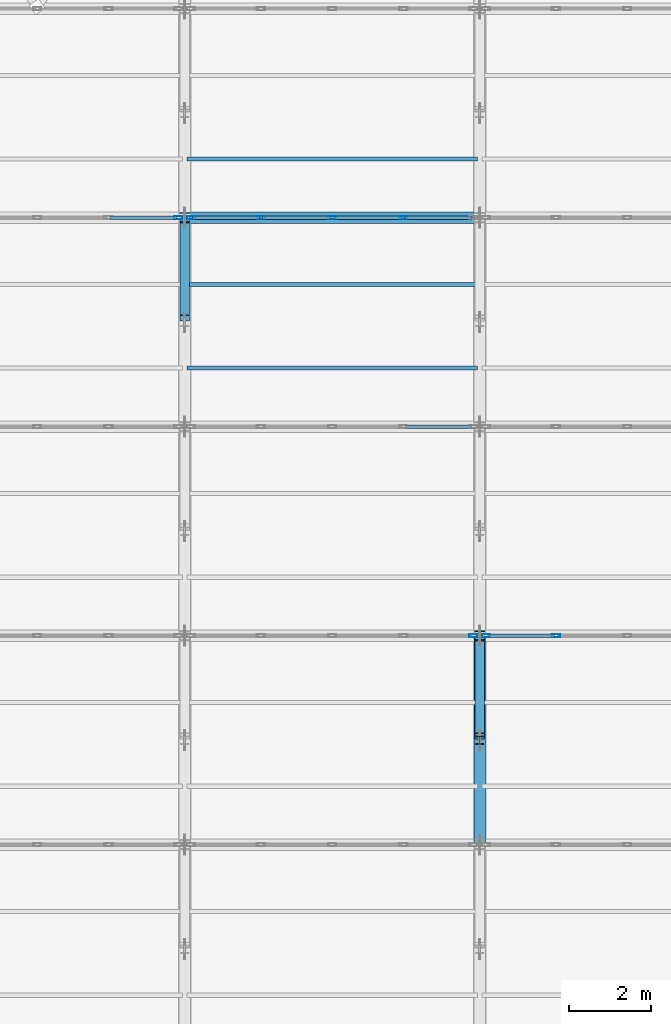
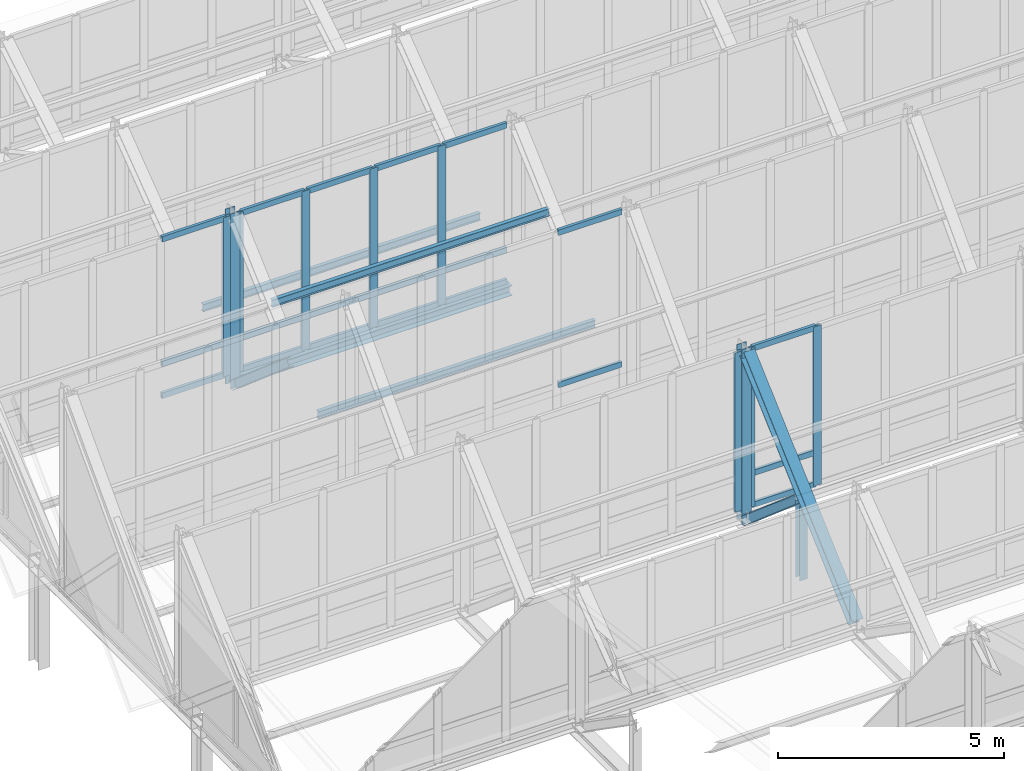
# One storey, part 45 of 157: 37 members, 1 beam, 5 elements without a shape of their own.
"""IFC4 building model written with IfcOpenShell, lengths in metres."""

from ifc_helpers import new_model, si_unit, direction, frame, origin, origin_2d, place, context, subcontext, project, spatial, hollow_rectangle, i_section, extrude, material, material_profile, profile_set, type_object, element, aggregate, save


model = new_model("IFC4")

# Units and contexts
model_context = context("Model", 3, precision=1e-05, world=origin(), true_north=direction((0.0, 1.0)))
body_context = subcontext(model_context, "Body", "Model", "MODEL_VIEW")
ifc_project = project(units=[si_unit("LENGTHUNIT", "METRE"), si_unit("AREAUNIT", "SQUARE_METRE"), si_unit("VOLUMEUNIT", "CUBIC_METRE"), si_unit("PLANEANGLEUNIT", "RADIAN"), si_unit("MASSUNIT", "GRAM", prefix="KILO")], contexts=[model_context])

# Site, building, storey
site_placement = place(None, origin())
site = spatial("IfcSite", under=ifc_project, at=site_placement, CompositionType="ELEMENT")
building_placement = place(site_placement, origin())
building = spatial("IfcBuilding", under=site, at=building_placement, Name="Suanplinth Sawtooth Commons", CompositionType="ELEMENT")
storey_placement = place(building_placement, frame((0.0, 0.0, 9.0)))
storey = spatial("IfcBuildingStorey", under=building, at=storey_placement, Name="L02", CompositionType="ELEMENT", Elevation=9.0)

# Beam
ifc_material_1 = material(Name="Steel S355JR", Category="steel")
ifc_material_profile_1 = material_profile(ifc_material_1, i_section(OverallWidth=0.280029296875, OverallDepth=0.27001953125, WebThickness=0.008056640625, FlangeThickness=0.012939453125, at=origin_2d()), Name="HEA 280")
ifc_profile_set_1 = profile_set([ifc_material_profile_1], Name="Steel S355JR")
beam_type = type_object("IfcBeamType", Name="B-16", PredefinedType="USERDEFINED", material=ifc_profile_set_1)
beam_placement = place(storey_placement, frame((72.1201171875, 75.89990234375, 2.820068359375), z_axis=(1.0, 0.0, 0.0), x_axis=(0.0, 1.0, 0.0)))
element("IfcBeam", 1, at=beam_placement, inside=storey, type_object=beam_type, Name="Sawtooth Valley Girder T6-B2", ObjectType="GIRDER", PredefinedType="USERDEFINED", context=body_context, shape_type="SweptSolid", body=[
    extrude(i_section(OverallWidth=0.280029296875, OverallDepth=0.27001953125, WebThickness=0.008056640625, FlangeThickness=0.012939453125, at=origin_2d()), origin(), (0.0, 0.0, 1.0), 6.9599609375),
])

# Members
ifc_material_profile_2 = material_profile(ifc_material_1, i_section(OverallWidth=0.280029296875, OverallDepth=0.280029296875, WebThickness=0.010498046875, FlangeThickness=0.01806640625, at=origin_2d()), Name="HEB 280")
ifc_profile_set_2 = profile_set([ifc_material_profile_2], Name="Steel S355JR")
member_type_1 = type_object("IfcMemberType", Name="M-02", PredefinedType="CHORD", material=ifc_profile_set_2)
member_1_placement = place(storey_placement, frame((79.199951171875, 60.739990234375, 2.919921875), z_axis=(0.0, 0.740839311711, 0.671682301556), x_axis=(-1.0, 0.0, 0.0)))
element("IfcMember", 2, at=member_1_placement, inside=storey, type_object=member_type_1, Name="Sawtooth Truss T3 Top Chord 3", PredefinedType="CHORD", context=body_context, shape_type="SweptSolid", body=[
    extrude(i_section(OverallWidth=0.280029296875, OverallDepth=0.280029296875, WebThickness=0.010498046875, FlangeThickness=0.01806640625, at=origin_2d()), origin(), (0.0, 0.0, 1.0), 6.50634765625),
])
ifc_material_profile_3 = material_profile(ifc_material_1, i_section(OverallWidth=0.239990234375, OverallDepth=0.22998046875, WebThickness=0.007568359375, FlangeThickness=0.011962890625, at=origin_2d()), Name="HEA 240")
ifc_profile_set_3 = profile_set([ifc_material_profile_3], Name="Steel S355JR")
member_type_2 = type_object("IfcMemberType", Name="M-03", PredefinedType="BRACE", material=ifc_profile_set_3)
for number, where, z_axis, x_axis, name in (
    (3, (72.0, 73.449951171875, 4.7451171875), (0.0, 0.759593581641, -0.65039802485), (-1.0, 0.0, 0.0), "Sawtooth Truss T2 Web Diagonal 5"),
    (4, (79.199951171875, 63.25, 4.7451171875), (0.0, 0.759593581641, -0.65039802485), (-1.0, 0.0, 0.0), "Sawtooth Truss T3 Web Diagonal 3"),
):
    element("IfcMember", number, at=place(storey_placement, frame(where, z_axis=z_axis, x_axis=x_axis)), inside=storey, type_object=member_type_2, Name=name, PredefinedType="BRACE", context=body_context, shape_type="SweptSolid", body=[
        extrude(i_section(OverallWidth=0.239990234375, OverallDepth=0.22998046875, WebThickness=0.007568359375, FlangeThickness=0.011962890625, at=origin_2d()), origin(), (0.0, 0.0, 1.0), 3.067626953125),
    ])
ifc_material_profile_4 = material_profile(ifc_material_1, i_section(OverallWidth=0.199951171875, OverallDepth=0.18994140625, WebThickness=0.006591796875, FlangeThickness=0.010009765625, at=origin_2d()), Name="HEA 200")
ifc_profile_set_4 = profile_set([ifc_material_profile_4], Name="Steel S355JR")
member_type_3 = type_object("IfcMemberType", Name="M-04", PredefinedType="BRACE", material=ifc_profile_set_4)
member_2_placement = place(storey_placement, frame((79.199951171875, 63.14990234375, 2.64990234375), z_axis=(0.0, 0.0, 1.0), x_axis=(1.0, 0.0, 0.0)))
element("IfcMember", 5, at=member_2_placement, inside=storey, type_object=member_type_3, Name="Sawtooth Truss T3 Mid Web Post 3", PredefinedType="BRACE", context=body_context, shape_type="SweptSolid", body=[
    extrude(i_section(OverallWidth=0.199951171875, OverallDepth=0.18994140625, WebThickness=0.006591796875, FlangeThickness=0.010009765625, at=origin_2d()), origin(), (0.0, 0.0, 1.0), 2.0751953125),
])
ifc_material_profile_5 = material_profile(ifc_material_1, i_section(OverallWidth=0.239990234375, OverallDepth=0.239990234375, WebThickness=0.010009765625, FlangeThickness=0.01708984375, at=origin_2d()), Name="HEB 240")
ifc_profile_set_5 = profile_set([ifc_material_profile_5], Name="Steel S355JR")
member_type_4 = type_object("IfcMemberType", Name="M-05", PredefinedType="POST", material=ifc_profile_set_5)
for number, where, z_axis, x_axis, name in (
    (6, (72.0, 75.89990234375, 2.64990234375), (0.0, 0.0, 1.0), (1.0, 0.0, 0.0), "Sawtooth Truss T2 Clerestory Post 5"),
    (7, (79.199951171875, 65.699951171875, 2.64990234375), (0.0, 0.0, 1.0), (1.0, 0.0, 0.0), "Sawtooth Truss T3 Clerestory Post 3"),
):
    element("IfcMember", number, at=place(storey_placement, frame(where, z_axis=z_axis, x_axis=x_axis)), inside=storey, type_object=member_type_4, Name=name, PredefinedType="POST", context=body_context, shape_type="SweptSolid", body=[
        extrude(i_section(OverallWidth=0.239990234375, OverallDepth=0.239990234375, WebThickness=0.010009765625, FlangeThickness=0.01708984375, at=origin_2d()), origin(), (0.0, 0.0, 1.0), 4.739990234375),
    ])
ifc_material_2 = material(Name="Steel SS400", Category="steel")
ifc_material_profile_6 = material_profile(ifc_material_2, i_section(OverallWidth=0.10009765625, OverallDepth=0.199951171875, WebThickness=0.005615234375, FlangeThickness=0.008544921875, at=origin_2d()), Name="IPE 200")
ifc_profile_set_6 = profile_set([ifc_material_profile_6], Name="Steel SS400")
member_type_5 = type_object("IfcMemberType", Name="M-06", PredefinedType="PURLIN", material=ifc_profile_set_6)
for number, where, z_axis, x_axis, name in (
    (8, (72.050048828125, 72.22802734375, 4.067138671875), (1.0, 0.0, 0.0), (0.0, 1.0, 0.0), "Sawtooth Roof Purlin T5-B2-P1"),
    (9, (72.050048828125, 74.26806640625, 5.84716796875), (1.0, 0.0, 0.0), (0.0, 1.0, 0.0), "Sawtooth Roof Purlin T5-B2-P2"),
    (10, (72.050048828125, 77.327880859375, 3.87353515625), (1.0, 0.0, 0.0), (0.0, 1.0, 0.0), "Sawtooth Roof Purlin T6-B2-P1"),
):
    element("IfcMember", number, at=place(storey_placement, frame(where, z_axis=z_axis, x_axis=x_axis)), inside=storey, type_object=member_type_5, Name=name, PredefinedType="PURLIN", context=body_context, shape_type="SweptSolid", body=[
        extrude(i_section(OverallWidth=0.10009765625, OverallDepth=0.199951171875, WebThickness=0.005615234375, FlangeThickness=0.008544921875, at=origin_2d()), origin(), (0.0, 0.0, 1.0), 7.099853515625),
    ])

# Curtain wall, member
ifc_material_3 = material(Name="Anodized aluminium and low-E glazing", Category="aluminium")
curtain_wall_type = type_object("IfcCurtainWallType", Name="CW-03", PredefinedType="USERDEFINED", material=ifc_material_3)
curtain_wall_1_placement = place(storey_placement, origin())
curtain_wall_1 = element("IfcCurtainWall", 11, at=curtain_wall_1_placement, inside=storey, type_object=curtain_wall_type, Name="Curtain Wall CW-SAW-T3-B2", ObjectType="CURTAIN WALL", PredefinedType="USERDEFINED")
ifc_material_4 = material(Name="Anodized aluminium 6063-T6", Category="aluminium")
ifc_material_profile_7 = material_profile(ifc_material_4, hollow_rectangle(XDim=0.074951171875, YDim=0.199951171875, WallThickness=0.0048828125, at=origin_2d()), Name="ALU-MUL 75x200")
ifc_profile_set_7 = profile_set([ifc_material_profile_7], Name="Anodized aluminium 6063-T6")
member_type_6 = type_object("IfcMemberType", Name="M-14", PredefinedType="MULLION", material=ifc_profile_set_7)
member_3_placement = place(storey_placement, frame((79.04248046875, 65.699951171875, 2.97998046875), z_axis=(0.0, 0.0, 1.0), x_axis=(0.0, 1.0, 0.0)))
member_3 = element("IfcMember", 12, at=member_3_placement, type_object=member_type_6, Name="CW-03 mullion 5", PredefinedType="MULLION", context=body_context, shape_type="SweptSolid", body=[
    extrude(hollow_rectangle(XDim=0.074951171875, YDim=0.199951171875, WallThickness=0.0048828125, at=origin_2d()), origin(), (0.0, 0.0, 1.0), 4.31005859375),
])
aggregate(curtain_wall_1, [member_3])

# Curtain wall, members
curtain_wall_2_placement = place(storey_placement, origin())
curtain_wall_2 = element("IfcCurtainWall", 13, at=curtain_wall_2_placement, inside=storey, type_object=curtain_wall_type, Name="Curtain Wall CW-SAW-T3-B3", ObjectType="CURTAIN WALL", PredefinedType="USERDEFINED")
member_4_placement = place(storey_placement, frame((79.357421875, 65.699951171875, 2.97998046875), z_axis=(0.0, 0.0, 1.0), x_axis=(0.0, 1.0, 0.0)))
member_4 = element("IfcMember", 14, at=member_4_placement, type_object=member_type_6, Name="CW-03 mullion 1", PredefinedType="MULLION", context=body_context, shape_type="SweptSolid", body=[
    extrude(hollow_rectangle(XDim=0.074951171875, YDim=0.199951171875, WallThickness=0.0048828125, at=origin_2d()), origin(), (0.0, 0.0, 1.0), 4.31005859375),
])
member_5_placement = place(storey_placement, frame((81.06005859375, 65.699951171875, 2.97998046875), z_axis=(0.0, 0.0, 1.0), x_axis=(0.0, 1.0, 0.0)))
member_5 = element("IfcMember", 15, at=member_5_placement, type_object=member_type_6, Name="CW-03 mullion 2", PredefinedType="MULLION", context=body_context, shape_type="SweptSolid", body=[
    extrude(hollow_rectangle(XDim=0.074951171875, YDim=0.199951171875, WallThickness=0.0048828125, at=origin_2d()), origin(), (0.0, 0.0, 1.0), 4.31005859375),
])

# Curtain wall, member
curtain_wall_3_placement = place(storey_placement, origin())
curtain_wall_3 = element("IfcCurtainWall", 16, at=curtain_wall_3_placement, inside=storey, type_object=curtain_wall_type, Name="Curtain Wall CW-SAW-T5-B1", ObjectType="CURTAIN WALL", PredefinedType="USERDEFINED")
member_6_placement = place(storey_placement, frame((71.842529296875, 75.89990234375, 2.97998046875), z_axis=(0.0, 0.0, 1.0), x_axis=(0.0, 1.0, 0.0)))
member_6 = element("IfcMember", 17, at=member_6_placement, type_object=member_type_6, Name="CW-03 mullion 5", PredefinedType="MULLION", context=body_context, shape_type="SweptSolid", body=[
    extrude(hollow_rectangle(XDim=0.074951171875, YDim=0.199951171875, WallThickness=0.0048828125, at=origin_2d()), origin(), (0.0, 0.0, 1.0), 4.31005859375),
])

# Curtain wall, members
curtain_wall_4_placement = place(storey_placement, origin())
curtain_wall_4 = element("IfcCurtainWall", 18, at=curtain_wall_4_placement, inside=storey, type_object=curtain_wall_type, Name="Curtain Wall CW-SAW-T5-B2", ObjectType="CURTAIN WALL", PredefinedType="USERDEFINED")
member_7_placement = place(storey_placement, frame((72.157470703125, 75.89990234375, 2.97998046875), z_axis=(0.0, 0.0, 1.0), x_axis=(0.0, 1.0, 0.0)))
member_7 = element("IfcMember", 19, at=member_7_placement, type_object=member_type_6, Name="CW-03 mullion 1", PredefinedType="MULLION", context=body_context, shape_type="SweptSolid", body=[
    extrude(hollow_rectangle(XDim=0.074951171875, YDim=0.199951171875, WallThickness=0.0048828125, at=origin_2d()), origin(), (0.0, 0.0, 1.0), 4.31005859375),
])
member_8_placement = place(storey_placement, frame((73.860107421875, 75.89990234375, 2.97998046875), z_axis=(0.0, 0.0, 1.0), x_axis=(0.0, 1.0, 0.0)))
member_8 = element("IfcMember", 20, at=member_8_placement, type_object=member_type_6, Name="CW-03 mullion 2", PredefinedType="MULLION", context=body_context, shape_type="SweptSolid", body=[
    extrude(hollow_rectangle(XDim=0.074951171875, YDim=0.199951171875, WallThickness=0.0048828125, at=origin_2d()), origin(), (0.0, 0.0, 1.0), 4.31005859375),
])
member_9_placement = place(storey_placement, frame((75.60009765625, 75.89990234375, 2.97998046875), z_axis=(0.0, 0.0, 1.0), x_axis=(0.0, 1.0, 0.0)))
member_9 = element("IfcMember", 21, at=member_9_placement, type_object=member_type_6, Name="CW-03 mullion 3", PredefinedType="MULLION", context=body_context, shape_type="SweptSolid", body=[
    extrude(hollow_rectangle(XDim=0.074951171875, YDim=0.199951171875, WallThickness=0.0048828125, at=origin_2d()), origin(), (0.0, 0.0, 1.0), 4.31005859375),
])
member_10_placement = place(storey_placement, frame((77.340087890625, 75.89990234375, 2.97998046875), z_axis=(0.0, 0.0, 1.0), x_axis=(0.0, 1.0, 0.0)))
member_10 = element("IfcMember", 22, at=member_10_placement, type_object=member_type_6, Name="CW-03 mullion 4", PredefinedType="MULLION", context=body_context, shape_type="SweptSolid", body=[
    extrude(hollow_rectangle(XDim=0.074951171875, YDim=0.199951171875, WallThickness=0.0048828125, at=origin_2d()), origin(), (0.0, 0.0, 1.0), 4.31005859375),
])

# Member
ifc_material_profile_8 = material_profile(ifc_material_4, hollow_rectangle(XDim=0.074951171875, YDim=0.14990234375, WallThickness=0.00439453125, at=origin_2d()), Name="ALU-TRN 75x150")
ifc_profile_set_8 = profile_set([ifc_material_profile_8], Name="Anodized aluminium 6063-T6")
member_type_7 = type_object("IfcMemberType", Name="M-16", PredefinedType="USERDEFINED", material=ifc_profile_set_8)
member_11_placement = place(storey_placement, frame((79.39501953125, 65.699951171875, 3.017578125), z_axis=(1.0, 0.0, 0.0), x_axis=(0.0, 1.0, 0.0)))
member_11 = element("IfcMember", 23, at=member_11_placement, type_object=member_type_7, Name="CW-03 transom 1.1", ObjectType="TRANSOM", PredefinedType="USERDEFINED", context=body_context, shape_type="SweptSolid", body=[
    extrude(hollow_rectangle(XDim=0.074951171875, YDim=0.14990234375, WallThickness=0.00439453125, at=origin_2d()), origin(), (0.0, 0.0, 1.0), 1.62744140625),
])

member_12_placement = place(storey_placement, frame((79.39501953125, 65.699951171875, 3.8798828125), z_axis=(1.0, 0.0, 0.0), x_axis=(0.0, 1.0, 0.0)))
member_12 = element("IfcMember", 24, at=member_12_placement, type_object=member_type_7, Name="CW-03 transom 1.2", ObjectType="TRANSOM", PredefinedType="USERDEFINED", context=body_context, shape_type="SweptSolid", body=[
    extrude(hollow_rectangle(XDim=0.074951171875, YDim=0.14990234375, WallThickness=0.00439453125, at=origin_2d()), origin(), (0.0, 0.0, 1.0), 1.62744140625),
])

member_13_placement = place(storey_placement, frame((79.39501953125, 65.699951171875, 7.25244140625), z_axis=(1.0, 0.0, 0.0), x_axis=(0.0, 1.0, 0.0)))
member_13 = element("IfcMember", 25, at=member_13_placement, type_object=member_type_7, Name="CW-03 transom 1.3", ObjectType="TRANSOM", PredefinedType="USERDEFINED", context=body_context, shape_type="SweptSolid", body=[
    extrude(hollow_rectangle(XDim=0.074951171875, YDim=0.14990234375, WallThickness=0.00439453125, at=origin_2d()), origin(), (0.0, 0.0, 1.0), 1.62744140625),
])

aggregate(curtain_wall_2, [member_4, member_5, member_11, member_12, member_13])

# Curtain wall, members
curtain_wall_5_placement = place(storey_placement, origin())
curtain_wall_5 = element("IfcCurtainWall", 26, at=curtain_wall_5_placement, inside=storey, type_object=curtain_wall_type, Name="Curtain Wall CW-SAW-T4-B2", ObjectType="CURTAIN WALL", PredefinedType="USERDEFINED")
member_14_placement = place(storey_placement, frame((77.37744140625, 70.800048828125, 3.8798828125), z_axis=(1.0, 0.0, 0.0), x_axis=(0.0, 1.0, 0.0)))
member_14 = element("IfcMember", 27, at=member_14_placement, type_object=member_type_7, Name="CW-03 transom 4.2", ObjectType="TRANSOM", PredefinedType="USERDEFINED", context=body_context, shape_type="SweptSolid", body=[
    extrude(hollow_rectangle(XDim=0.074951171875, YDim=0.14990234375, WallThickness=0.00439453125, at=origin_2d()), origin(), (0.0, 0.0, 1.0), 1.62744140625),
])
member_15_placement = place(storey_placement, frame((77.37744140625, 70.800048828125, 8.00244140625), z_axis=(1.0, 0.0, 0.0), x_axis=(0.0, 1.0, 0.0)))
member_15 = element("IfcMember", 28, at=member_15_placement, type_object=member_type_7, Name="CW-03 transom 4.3", ObjectType="TRANSOM", PredefinedType="USERDEFINED", context=body_context, shape_type="SweptSolid", body=[
    extrude(hollow_rectangle(XDim=0.074951171875, YDim=0.14990234375, WallThickness=0.00439453125, at=origin_2d()), origin(), (0.0, 0.0, 1.0), 1.62744140625),
])
aggregate(curtain_wall_5, [member_14, member_15])

# Member
member_16_placement = place(storey_placement, frame((70.177490234375, 75.89990234375, 3.017578125), z_axis=(1.0, 0.0, 0.0), x_axis=(0.0, 1.0, 0.0)))
member_16 = element("IfcMember", 29, at=member_16_placement, type_object=member_type_7, Name="CW-03 transom 4.1", ObjectType="TRANSOM", PredefinedType="USERDEFINED", context=body_context, shape_type="SweptSolid", body=[
    extrude(hollow_rectangle(XDim=0.074951171875, YDim=0.14990234375, WallThickness=0.00439453125, at=origin_2d()), origin(), (0.0, 0.0, 1.0), 1.62744140625),
])

member_17_placement = place(storey_placement, frame((70.177490234375, 75.89990234375, 3.8798828125), z_axis=(1.0, 0.0, 0.0), x_axis=(0.0, 1.0, 0.0)))
member_17 = element("IfcMember", 30, at=member_17_placement, type_object=member_type_7, Name="CW-03 transom 4.2", ObjectType="TRANSOM", PredefinedType="USERDEFINED", context=body_context, shape_type="SweptSolid", body=[
    extrude(hollow_rectangle(XDim=0.074951171875, YDim=0.14990234375, WallThickness=0.00439453125, at=origin_2d()), origin(), (0.0, 0.0, 1.0), 1.62744140625),
])

member_18_placement = place(storey_placement, frame((70.177490234375, 75.89990234375, 7.25244140625), z_axis=(1.0, 0.0, 0.0), x_axis=(0.0, 1.0, 0.0)))
member_18 = element("IfcMember", 31, at=member_18_placement, type_object=member_type_7, Name="CW-03 transom 4.3", ObjectType="TRANSOM", PredefinedType="USERDEFINED", context=body_context, shape_type="SweptSolid", body=[
    extrude(hollow_rectangle(XDim=0.074951171875, YDim=0.14990234375, WallThickness=0.00439453125, at=origin_2d()), origin(), (0.0, 0.0, 1.0), 1.62744140625),
])

aggregate(curtain_wall_3, [member_6, member_16, member_17, member_18])

member_19_placement = place(storey_placement, frame((72.195068359375, 75.89990234375, 3.017578125), z_axis=(1.0, 0.0, 0.0), x_axis=(0.0, 1.0, 0.0)))
member_19 = element("IfcMember", 32, at=member_19_placement, type_object=member_type_7, Name="CW-03 transom 1.1", ObjectType="TRANSOM", PredefinedType="USERDEFINED", context=body_context, shape_type="SweptSolid", body=[
    extrude(hollow_rectangle(XDim=0.074951171875, YDim=0.14990234375, WallThickness=0.00439453125, at=origin_2d()), origin(), (0.0, 0.0, 1.0), 1.62744140625),
])

member_20_placement = place(storey_placement, frame((72.195068359375, 75.89990234375, 3.8798828125), z_axis=(1.0, 0.0, 0.0), x_axis=(0.0, 1.0, 0.0)))
member_20 = element("IfcMember", 33, at=member_20_placement, type_object=member_type_7, Name="CW-03 transom 1.2", ObjectType="TRANSOM", PredefinedType="USERDEFINED", context=body_context, shape_type="SweptSolid", body=[
    extrude(hollow_rectangle(XDim=0.074951171875, YDim=0.14990234375, WallThickness=0.00439453125, at=origin_2d()), origin(), (0.0, 0.0, 1.0), 1.62744140625),
])

member_21_placement = place(storey_placement, frame((72.195068359375, 75.89990234375, 7.25244140625), z_axis=(1.0, 0.0, 0.0), x_axis=(0.0, 1.0, 0.0)))
member_21 = element("IfcMember", 34, at=member_21_placement, type_object=member_type_7, Name="CW-03 transom 1.3", ObjectType="TRANSOM", PredefinedType="USERDEFINED", context=body_context, shape_type="SweptSolid", body=[
    extrude(hollow_rectangle(XDim=0.074951171875, YDim=0.14990234375, WallThickness=0.00439453125, at=origin_2d()), origin(), (0.0, 0.0, 1.0), 1.62744140625),
])

member_22_placement = place(storey_placement, frame((73.8974609375, 75.89990234375, 3.017578125), z_axis=(1.0, 0.0, 0.0), x_axis=(0.0, 1.0, 0.0)))
member_22 = element("IfcMember", 35, at=member_22_placement, type_object=member_type_7, Name="CW-03 transom 2.1", ObjectType="TRANSOM", PredefinedType="USERDEFINED", context=body_context, shape_type="SweptSolid", body=[
    extrude(hollow_rectangle(XDim=0.074951171875, YDim=0.14990234375, WallThickness=0.00439453125, at=origin_2d()), origin(), (0.0, 0.0, 1.0), 1.6650390625),
])

member_23_placement = place(storey_placement, frame((73.8974609375, 75.89990234375, 3.8798828125), z_axis=(1.0, 0.0, 0.0), x_axis=(0.0, 1.0, 0.0)))
member_23 = element("IfcMember", 36, at=member_23_placement, type_object=member_type_7, Name="CW-03 transom 2.2", ObjectType="TRANSOM", PredefinedType="USERDEFINED", context=body_context, shape_type="SweptSolid", body=[
    extrude(hollow_rectangle(XDim=0.074951171875, YDim=0.14990234375, WallThickness=0.00439453125, at=origin_2d()), origin(), (0.0, 0.0, 1.0), 1.6650390625),
])

member_24_placement = place(storey_placement, frame((73.8974609375, 75.89990234375, 7.25244140625), z_axis=(1.0, 0.0, 0.0), x_axis=(0.0, 1.0, 0.0)))
member_24 = element("IfcMember", 37, at=member_24_placement, type_object=member_type_7, Name="CW-03 transom 2.3", ObjectType="TRANSOM", PredefinedType="USERDEFINED", context=body_context, shape_type="SweptSolid", body=[
    extrude(hollow_rectangle(XDim=0.074951171875, YDim=0.14990234375, WallThickness=0.00439453125, at=origin_2d()), origin(), (0.0, 0.0, 1.0), 1.6650390625),
])

member_25_placement = place(storey_placement, frame((75.637451171875, 75.89990234375, 3.017578125), z_axis=(1.0, 0.0, 0.0), x_axis=(0.0, 1.0, 0.0)))
member_25 = element("IfcMember", 38, at=member_25_placement, type_object=member_type_7, Name="CW-03 transom 3.1", ObjectType="TRANSOM", PredefinedType="USERDEFINED", context=body_context, shape_type="SweptSolid", body=[
    extrude(hollow_rectangle(XDim=0.074951171875, YDim=0.14990234375, WallThickness=0.00439453125, at=origin_2d()), origin(), (0.0, 0.0, 1.0), 1.6650390625),
])

member_26_placement = place(storey_placement, frame((75.637451171875, 75.89990234375, 3.8798828125), z_axis=(1.0, 0.0, 0.0), x_axis=(0.0, 1.0, 0.0)))
member_26 = element("IfcMember", 39, at=member_26_placement, type_object=member_type_7, Name="CW-03 transom 3.2", ObjectType="TRANSOM", PredefinedType="USERDEFINED", context=body_context, shape_type="SweptSolid", body=[
    extrude(hollow_rectangle(XDim=0.074951171875, YDim=0.14990234375, WallThickness=0.00439453125, at=origin_2d()), origin(), (0.0, 0.0, 1.0), 1.6650390625),
])

member_27_placement = place(storey_placement, frame((75.637451171875, 75.89990234375, 7.25244140625), z_axis=(1.0, 0.0, 0.0), x_axis=(0.0, 1.0, 0.0)))
member_27 = element("IfcMember", 40, at=member_27_placement, type_object=member_type_7, Name="CW-03 transom 3.3", ObjectType="TRANSOM", PredefinedType="USERDEFINED", context=body_context, shape_type="SweptSolid", body=[
    extrude(hollow_rectangle(XDim=0.074951171875, YDim=0.14990234375, WallThickness=0.00439453125, at=origin_2d()), origin(), (0.0, 0.0, 1.0), 1.6650390625),
])

member_28_placement = place(storey_placement, frame((77.37744140625, 75.89990234375, 3.017578125), z_axis=(1.0, 0.0, 0.0), x_axis=(0.0, 1.0, 0.0)))
member_28 = element("IfcMember", 41, at=member_28_placement, type_object=member_type_7, Name="CW-03 transom 4.1", ObjectType="TRANSOM", PredefinedType="USERDEFINED", context=body_context, shape_type="SweptSolid", body=[
    extrude(hollow_rectangle(XDim=0.074951171875, YDim=0.14990234375, WallThickness=0.00439453125, at=origin_2d()), origin(), (0.0, 0.0, 1.0), 1.62744140625),
])

member_29_placement = place(storey_placement, frame((77.37744140625, 75.89990234375, 3.8798828125), z_axis=(1.0, 0.0, 0.0), x_axis=(0.0, 1.0, 0.0)))
member_29 = element("IfcMember", 42, at=member_29_placement, type_object=member_type_7, Name="CW-03 transom 4.2", ObjectType="TRANSOM", PredefinedType="USERDEFINED", context=body_context, shape_type="SweptSolid", body=[
    extrude(hollow_rectangle(XDim=0.074951171875, YDim=0.14990234375, WallThickness=0.00439453125, at=origin_2d()), origin(), (0.0, 0.0, 1.0), 1.62744140625),
])

member_30_placement = place(storey_placement, frame((77.37744140625, 75.89990234375, 7.25244140625), z_axis=(1.0, 0.0, 0.0), x_axis=(0.0, 1.0, 0.0)))
member_30 = element("IfcMember", 43, at=member_30_placement, type_object=member_type_7, Name="CW-03 transom 4.3", ObjectType="TRANSOM", PredefinedType="USERDEFINED", context=body_context, shape_type="SweptSolid", body=[
    extrude(hollow_rectangle(XDim=0.074951171875, YDim=0.14990234375, WallThickness=0.00439453125, at=origin_2d()), origin(), (0.0, 0.0, 1.0), 1.62744140625),
])

aggregate(curtain_wall_4, [member_7, member_8, member_9, member_10, member_19, member_20, member_21, member_22, member_23, member_24, member_25, member_26, member_27, member_28, member_29, member_30])

save(model, "model.ifc")
